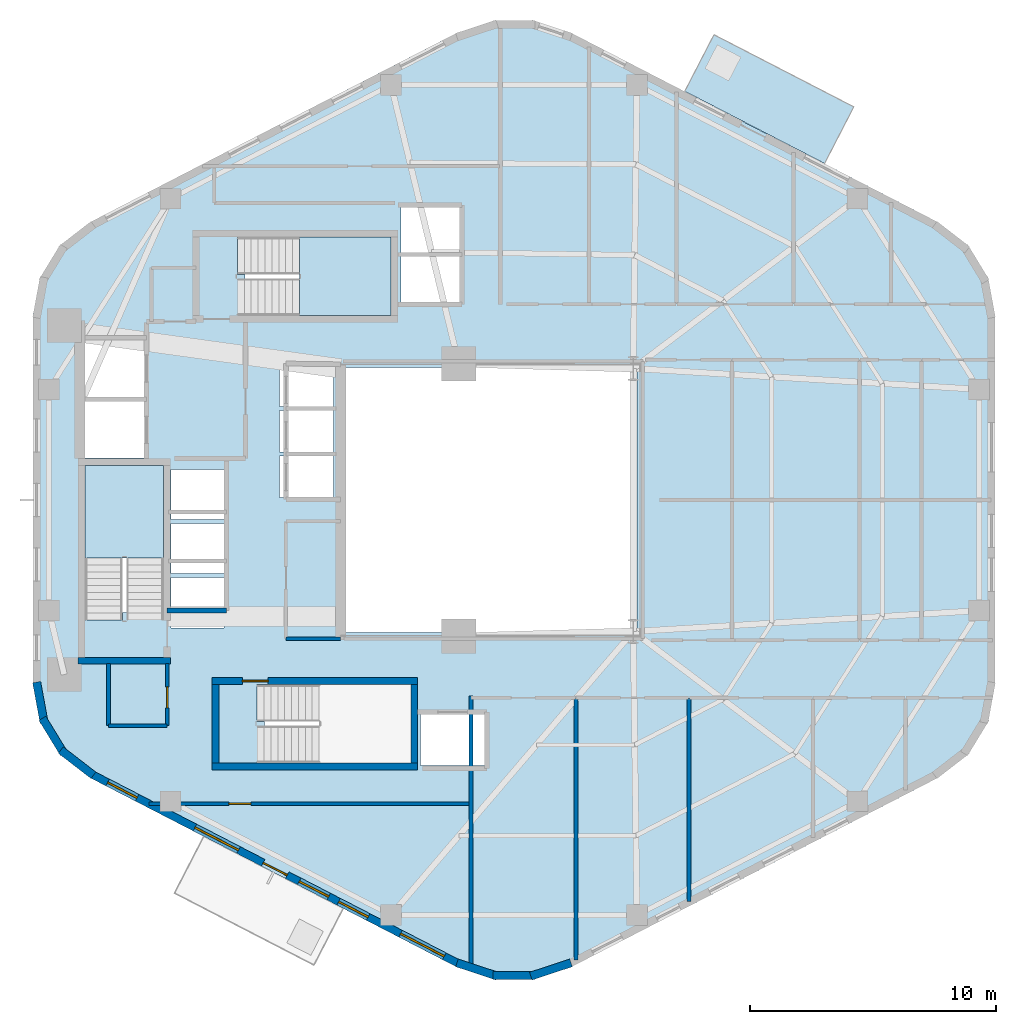
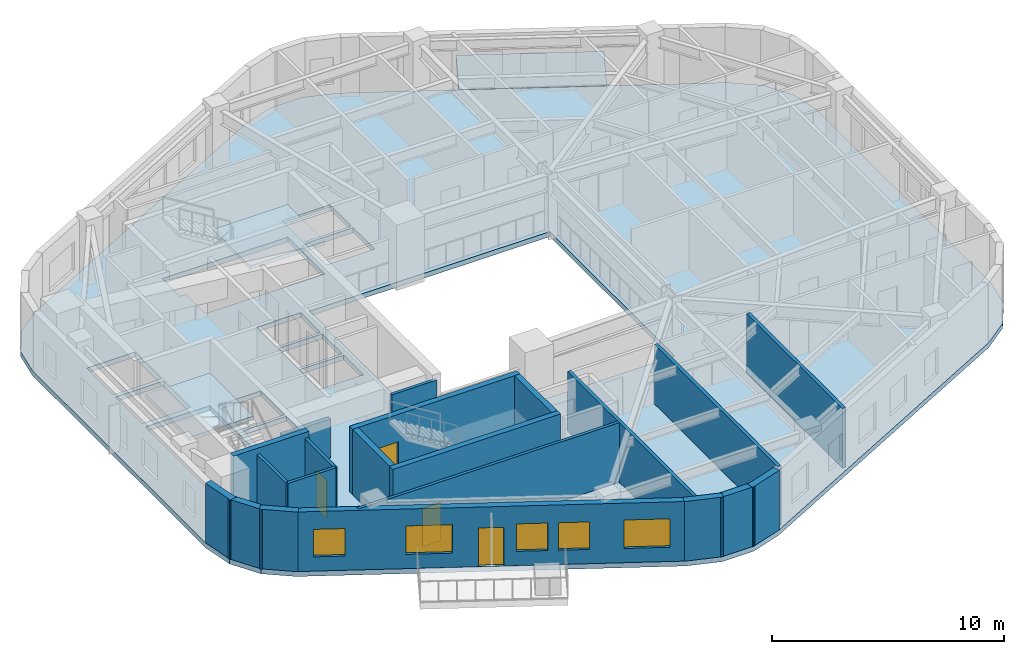
# One storey, part 2 of 8: 21 walls, 5 windows, 4 doors, 4 slabs, 9 openings, 2 elements without a shape of their own.
"""IFC4 building model written with IfcOpenShell, lengths in metres."""

import ifcopenshell
import ifcopenshell.guid

model = None  # the IFC model being written
_history = None  # IfcOwnerHistory: only IFC2X3 demands one
_inside = {}  # id of a spatial element -> (the spatial element, [elements in it])
_under = {}  # id of a project, library or spatial element -> (it, [spatial elements below it])
_declared = {}  # id of a project -> (the project, [libraries it declares])
_typed = {}  # id of a type object -> (the type object, [elements of that type])
_made_of = {}  # id of a material, layer set ... -> (it, [elements and type objects made of it])


def new_model(schema):
    """Start an empty IFC model of exactly this schema.

    Asked for "IFC4X3", IfcOpenShell would pick the latest addendum, in which some entities
    have other attributes; the version numbers below select the first issue.
    IFC2X3 requires an IfcOwnerHistory on every rooted entity: one is made here for all.
    """
    global model, _history
    if schema == "IFC4X3":
        model = ifcopenshell.file(schema_version=(4, 3, 0, 0))
    else:
        model = ifcopenshell.file(schema=schema)
    _inside.clear()
    _under.clear()
    _declared.clear()
    _typed.clear()
    _made_of.clear()
    _history = None
    if model.schema == "IFC2X3":
        org = make("IfcOrganization", Name="unknown")
        user = make(
            "IfcPersonAndOrganization",
            ThePerson=make("IfcPerson", FamilyName="unknown"),
            TheOrganization=org,
        )
        app = make(
            "IfcApplication",
            ApplicationDeveloper=org,
            Version="unknown",
            ApplicationFullName="unknown",
            ApplicationIdentifier="unknown",
        )
        _history = make(
            "IfcOwnerHistory",
            OwningUser=user,
            OwningApplication=app,
            ChangeAction="ADDED",
            CreationDate=0,
        )
    return model


def make(cls, **values):
    """One entity of the class cls with the attributes given. An attribute that is None is left unset."""
    return model.create_entity(
        cls, **{name: value for name, value in values.items() if value is not None}
    )


def rooted(cls, **values):
    """An entity with a GlobalId (a new one), such as an element, a storey or a relation."""
    return make(cls, GlobalId=ifcopenshell.guid.new(), OwnerHistory=_history, **values)


def si_unit(unit_type, name, prefix=None):
    """IfcSIUnit, for example si_unit("LENGTHUNIT", "METRE", prefix="MILLI")."""
    return make("IfcSIUnit", UnitType=unit_type, Prefix=prefix, Name=name)


def assignment(units):
    """IfcUnitAssignment: the units of a project."""
    return None if units is None else make("IfcUnitAssignment", Units=units)


def point(xyz):
    """IfcCartesianPoint."""
    return None if xyz is None else make("IfcCartesianPoint", Coordinates=xyz)


def direction(xyz):
    """IfcDirection."""
    return None if xyz is None else make("IfcDirection", DirectionRatios=xyz)


def frame(location, z_axis=None, x_axis=None):
    """IfcAxis2Placement3D, a coordinate frame: its origin and axes. An axis left out is left unset."""
    return make(
        "IfcAxis2Placement3D",
        Location=point(location),
        Axis=direction(z_axis),
        RefDirection=direction(x_axis),
    )


def frame_2d(location, x_axis=None):
    """IfcAxis2Placement2D, a coordinate frame in the plane: its origin and x axis."""
    return make(
        "IfcAxis2Placement2D", Location=point(location), RefDirection=direction(x_axis)
    )


def origin():
    """The frame at (0, 0, 0) with its axes left unset."""
    return frame((0.0, 0.0, 0.0))


def place(relative_to, where):
    """IfcLocalPlacement: puts the frame where relative to a parent placement (None: the world)."""
    return make(
        "IfcLocalPlacement", PlacementRelTo=relative_to, RelativePlacement=where
    )


def context(
    kind, dimensions, precision=None, world=None, true_north=None, identifier=None
):
    """IfcGeometricRepresentationContext, for example the 3D "Model" context."""
    return make(
        "IfcGeometricRepresentationContext",
        ContextIdentifier=identifier,
        ContextType=kind,
        CoordinateSpaceDimension=dimensions,
        Precision=precision,
        WorldCoordinateSystem=world,
        TrueNorth=true_north,
    )


def subcontext(parent, identifier, kind, view, scale=None):
    """IfcGeometricRepresentationSubContext, for example "Body" below "Model"."""
    return make(
        "IfcGeometricRepresentationSubContext",
        ContextIdentifier=identifier,
        ContextType=kind,
        ParentContext=parent,
        TargetScale=scale,
        TargetView=view,
    )


def project(units=None, contexts=None):
    """IfcProject with its units and contexts."""
    return rooted(
        "IfcProject",
        Name="project",
        RepresentationContexts=contexts,
        UnitsInContext=assignment(units),
    )


def spatial(cls, under=None, at=None, **own):
    """A site, building, storey or space (cls), placed at a placement, below another one or the project."""
    s = rooted(cls, ObjectPlacement=at, **own)
    if under is not None:
        _under.setdefault(under.id(), (under, []))[1].append(s)
    return s


def polyline(points):
    """IfcPolyline through the points."""
    return make("IfcPolyline", Points=[point(p) for p in points])


def profile(cls, at=None, kind="AREA", **sizes):
    """A parametric profile (cls). Its sizes go by their IFC names, for example OverallWidth=200.0."""
    return make(cls, ProfileType=kind, Position=at, **sizes)


def rectangle(**sizes):
    """IfcRectangleProfileDef."""
    return profile("IfcRectangleProfileDef", **sizes)


def outline(outer, holes=None, kind="AREA"):
    """IfcArbitraryClosedProfileDef: a profile drawn as a closed curve; with holes, ...WithVoids."""
    if holes is None:
        return make("IfcArbitraryClosedProfileDef", ProfileType=kind, OuterCurve=outer)
    return make(
        "IfcArbitraryProfileDefWithVoids",
        ProfileType=kind,
        OuterCurve=outer,
        InnerCurves=holes,
    )


def extrude(swept, where, along, depth):
    """IfcExtrudedAreaSolid: the profile swept, set in the frame where, extruded along a direction by depth."""
    return make(
        "IfcExtrudedAreaSolid",
        SweptArea=swept,
        Position=where,
        ExtrudedDirection=direction(along),
        Depth=depth,
    )


def shape(context_of_items, identifier, shape_type, items):
    """IfcShapeRepresentation: the items that make up one representation, for example the "Body"."""
    return make(
        "IfcShapeRepresentation",
        ContextOfItems=context_of_items,
        RepresentationIdentifier=identifier,
        RepresentationType=shape_type,
        Items=items,
    )


def material(Name=None, Category=None):
    """IfcMaterial."""
    return make("IfcMaterial", Name=Name, Category=Category)


def layer(
    of_material, thickness, ventilated=None, Name=None, Category=None, Priority=None
):
    """IfcMaterialLayer: one layer of a wall or slab, of a material (None: an air gap)."""
    return make(
        "IfcMaterialLayer",
        Material=of_material,
        LayerThickness=thickness,
        IsVentilated=ventilated,
        Name=Name,
        Category=Category,
        Priority=Priority,
    )


def layer_set(layers, Name=None):
    """IfcMaterialLayerSet."""
    return make("IfcMaterialLayerSet", MaterialLayers=layers, LayerSetName=Name)


def made_of(thing, what):
    """Note that an element or type object is made of a material, layer set ...; save() writes the relation."""
    if what is not None:
        _made_of.setdefault(what.id(), (what, []))[1].append(thing)
    return thing


def type_object(cls, material=None, **own):
    """A type object (cls), such as IfcWallType, which elements share."""
    return made_of(rooted(cls, **own), material)


def element(
    cls,
    number,
    at=None,
    inside=None,
    cuts=None,
    type_object=None,
    material=None,
    context=None,
    identifier="Body",
    shape_type=None,
    held_by="IfcProductDefinitionShape",
    body=None,
    shapes=None,
    **own,
):
    """One element of the class cls, such as IfcWall. Its Tag is "e" and its number.

    at: its placement. inside: the storey or other place that contains it. cuts: it is an
    opening in that element (IfcRelVoidsElement). A single representation is given by context,
    identifier, shape_type and body (its items); several are given by shapes. held_by: the class
    of the entity that holds the representations. save() writes the other relations.
    """
    e = rooted(cls, Tag="e%d" % number, ObjectPlacement=at, **own)
    if body is not None:
        shapes = [shape(context, identifier, shape_type, body)]
    if shapes is not None:
        e.Representation = make(held_by, Representations=shapes)
    if inside is not None:
        _inside.setdefault(inside.id(), (inside, []))[1].append(e)
    if cuts is not None:
        rooted(
            "IfcRelVoidsElement", RelatingBuildingElement=cuts, RelatedOpeningElement=e
        )
    if type_object is not None:
        _typed.setdefault(type_object.id(), (type_object, []))[1].append(e)
    return made_of(e, material)


def fill(opening, filler):
    """IfcRelFillsElement: the door or window that sits in an opening."""
    return rooted(
        "IfcRelFillsElement",
        RelatingOpeningElement=opening,
        RelatedBuildingElement=filler,
    )


def aggregate(whole, parts):
    """IfcRelAggregates: a whole, such as a stair, and the parts it consists of."""
    return rooted("IfcRelAggregates", RelatingObject=whole, RelatedObjects=parts)


def save(model, path):
    """Write the relations noted so far, then the file.

    IfcRelAggregates (storeys below a building ...), IfcRelContainedInSpatialStructure (elements
    in a storey), IfcRelDefinesByType, IfcRelAssociatesMaterial and IfcRelDeclares: one each for
    every whole, place, type object, material and project.
    """
    for whole, parts in _under.values():
        aggregate(whole, parts)
    for where, things in _inside.values():
        rooted(
            "IfcRelContainedInSpatialStructure",
            RelatedElements=things,
            RelatingStructure=where,
        )
    for kind, things in _typed.values():
        rooted("IfcRelDefinesByType", RelatedObjects=things, RelatingType=kind)
    for what, things in _made_of.values():
        rooted("IfcRelAssociatesMaterial", RelatedObjects=things, RelatingMaterial=what)
    for by, libraries in _declared.values():
        rooted("IfcRelDeclares", RelatingContext=by, RelatedDefinitions=libraries)
    model.write(path)


model = new_model("IFC4")

# Units and contexts
model_context = context("Model", 3, precision=1e-05, world=origin(), true_north=direction((0.0, 1.0)))
body_context = subcontext(model_context, "Body", "Model", "MODEL_VIEW")
ifc_project = project(units=[si_unit("LENGTHUNIT", "METRE"), si_unit("AREAUNIT", "SQUARE_METRE"), si_unit("VOLUMEUNIT", "CUBIC_METRE"), si_unit("PLANEANGLEUNIT", "RADIAN"), si_unit("MASSUNIT", "GRAM", prefix="KILO"), si_unit("THERMODYNAMICTEMPERATUREUNIT", "KELVIN"), si_unit("POWERUNIT", "WATT")], contexts=[model_context])

# Site, building, storey
site_placement = place(None, origin())
site = spatial("IfcSite", under=ifc_project, at=site_placement, CompositionType="ELEMENT")
building_placement = place(site_placement, origin())
building = spatial("IfcBuilding", under=site, at=building_placement, Name="Skarre Station Tower", CompositionType="ELEMENT")
storey_placement = place(building_placement, frame((0.0, 0.0, 187.800048828125)))
storey = spatial("IfcBuildingStorey", under=building, at=storey_placement, Name="L51", CompositionType="ELEMENT", Elevation=187.800048828125)

# Slab
ifc_material_1 = material(Name="Precast concrete C50/60", Category="concrete")
ifc_layer_1 = layer(ifc_material_1, 0.340087890625, Name="Precast concrete C50/60")
ifc_layer_set_1 = layer_set([ifc_layer_1], Name="Precast concrete C50/60")
slab_type_1 = type_object("IfcSlabType", Name="Planted Tree-Balcony Cantilever Slab 340", PredefinedType="FLOOR", material=ifc_layer_set_1)
slab_1_placement = place(storey_placement, frame((0.0, 0.0, -0.340087890625)))
element("IfcSlab", 1, at=slab_1_placement, inside=storey, type_object=slab_type_1, Name="L51 Planted Tree-Balcony Deck TB-L51-F0", PredefinedType="FLOOR", context=body_context, shape_type="SweptSolid", body=[
    extrude(outline(polyline([(47.23388671875, 37.69091796875), (41.547119140625, 40.626953125), (42.735107421875, 42.927978515625), (48.422119140625, 39.992919921875), (47.23388671875, 37.69091796875)])), origin(), (0.0, 0.0, 1.0), 0.340087890625),
])

# Stair, slab
ifc_material_2 = material(Name="Concrete C40/50", Category="concrete")
stair_type_1 = type_object("IfcStairType", Name="Reinforced Concrete Exit Stair ST-1", PredefinedType="HALF_TURN_STAIR", material=ifc_material_2)
stair_1_placement = place(storey_placement, origin())
stair_1 = element("IfcStair", 2, at=stair_1_placement, inside=storey, type_object=stair_type_1, Name="L51 Core Exit Stair ST-1", PredefinedType="HALF_TURN_STAIR")
ifc_layer_2 = layer(ifc_material_2, 0.219970703125, Name="Concrete C40/50")
ifc_layer_set_2 = layer_set([ifc_layer_2], Name="Concrete C40/50")
slab_type_2 = type_object("IfcSlabType", Name="Reinforced Concrete Stair & Ramp Landing 220", PredefinedType="LANDING", material=ifc_layer_set_2)
slab_2_placement = place(storey_placement, frame((0.0, 0.0, 1.52490234375)))
slab_2 = element("IfcSlab", 3, at=slab_2_placement, type_object=slab_type_2, Name="ST-1 landing 1", PredefinedType="LANDING", context=body_context, shape_type="SweptSolid", body=[
    extrude(outline(polyline([(20.35009765625, 21.639892578125), (20.35009765625, 25.39990234375), (17.14990234375, 25.39990234375), (17.14990234375, 21.639892578125), (20.35009765625, 21.639892578125)])), origin(), (0.0, 0.0, 1.0), 0.199951171875),
])
aggregate(stair_1, [slab_2])

stair_type_2 = type_object("IfcStairType", Name="Reinforced Concrete Exit Stair ST-3", PredefinedType="HALF_TURN_STAIR", material=ifc_material_2)
stair_2_placement = place(storey_placement, origin())
stair_2 = element("IfcStair", 4, at=stair_2_placement, inside=storey, type_object=stair_type_2, Name="L51 Core Exit Stair ST-3", PredefinedType="HALF_TURN_STAIR")
slab_3_placement = place(storey_placement, frame((0.0, 0.0, 1.52490234375)))
slab_3 = element("IfcSlab", 5, at=slab_3_placement, type_object=slab_type_2, Name="ST-3 landing 1", PredefinedType="LANDING", context=body_context, shape_type="SweptSolid", body=[
    extrude(outline(polyline([(25.8701171875, 31.5), (29.60009765625, 31.5), (29.60009765625, 34.699951171875), (25.8701171875, 34.699951171875), (25.8701171875, 31.5)])), origin(), (0.0, 0.0, 1.0), 0.199951171875),
])
aggregate(stair_2, [slab_3])

# Slab
ifc_material_3 = material(Name="Concrete C50/60", Category="concrete")
ifc_layer_3 = layer(ifc_material_3, 0.260009765625, Name="Concrete C50/60")
ifc_layer_set_3 = layer_set([ifc_layer_3], Name="Concrete C50/60")
slab_type_3 = type_object("IfcSlabType", Name="Tower Typical Composite Floor Slab 260", PredefinedType="FLOOR", material=ifc_layer_set_3)
slab_4_placement = place(storey_placement, frame((0.0, 0.0, -0.260009765625)))
element("IfcSlab", 6, at=slab_4_placement, inside=storey, type_object=slab_type_3, Name="L51 Zone 3 Structural Floor Slab", PredefinedType="FLOOR", context=body_context, shape_type="SweptSolid", body=[
    extrude(outline(polyline([(54.172119140625, 31.501953125), (53.89208984375, 33.02294921875), (53.0869140625, 34.344970703125), (51.863037109375, 35.291015625), (36.908935546875, 43.009033203125), (35.39599609375, 43.506103515625), (33.803955078125, 43.506103515625), (32.291015625, 43.009033203125), (17.3369140625, 35.291015625), (16.113037109375, 34.344970703125), (15.30810546875, 33.02294921875), (15.028076171875, 31.501953125), (15.028076171875, 16.498046875), (15.30810546875, 14.97705078125), (16.113037109375, 13.655029296875), (17.3369140625, 12.708984375), (32.291015625, 4.990966796875), (33.803955078125, 4.493896484375), (35.39599609375, 4.493896484375), (36.908935546875, 4.990966796875), (51.863037109375, 12.708984375), (53.0869140625, 13.655029296875), (53.89208984375, 14.97705078125), (54.172119140625, 16.498046875), (54.172119140625, 31.501953125)]), holes=[polyline([(18.669921875, 19.419921875), (18.669921875, 19.123046875), (17.14990234375, 19.123046875), (17.14990234375, 25.39990234375), (20.35009765625, 25.39990234375), (20.35009765625, 19.419921875), (18.669921875, 19.419921875)]), polyline([(24.449951171875, 14.97998046875), (24.153076171875, 14.97998046875), (24.153076171875, 16.5), (30.39990234375, 16.5), (30.39990234375, 13.300048828125), (24.449951171875, 13.300048828125), (24.449951171875, 14.97998046875)]), polyline([(23.64990234375, 33.179931640625), (23.35302734375, 33.179931640625), (23.35302734375, 34.699951171875), (29.60009765625, 34.699951171875), (29.60009765625, 31.5), (23.64990234375, 31.5), (23.64990234375, 33.179931640625)]), polyline([(17.14990234375, 28.0), (19.550048828125, 28.0), (19.550048828125, 25.699951171875), (17.14990234375, 25.699951171875), (17.14990234375, 28.0)]), polyline([(17.14990234375, 30.5), (19.550048828125, 30.5), (19.550048828125, 28.199951171875), (17.14990234375, 28.199951171875), (17.14990234375, 30.5)]), polyline([(30.800048828125, 15.300048828125), (33.39990234375, 15.300048828125), (33.39990234375, 13.199951171875), (30.800048828125, 13.199951171875), (30.800048828125, 15.300048828125)]), polyline([(25.050048828125, 25.800048828125), (27.25, 25.800048828125), (27.25, 24.10009765625), (25.050048828125, 24.10009765625), (25.050048828125, 25.800048828125)]), polyline([(25.050048828125, 27.64990234375), (27.25, 27.64990234375), (27.25, 25.949951171875), (25.050048828125, 25.949951171875), (25.050048828125, 27.64990234375)]), polyline([(25.050048828125, 29.5), (27.25, 29.5), (27.25, 27.800048828125), (25.050048828125, 27.800048828125), (25.050048828125, 29.5)]), polyline([(20.64990234375, 20.85009765625), (22.800048828125, 20.85009765625), (22.800048828125, 18.800048828125), (20.64990234375, 18.800048828125), (20.64990234375, 20.85009765625)]), polyline([(20.64990234375, 23.050048828125), (22.800048828125, 23.050048828125), (22.800048828125, 21.0), (20.64990234375, 21.0), (20.64990234375, 23.050048828125)]), polyline([(20.64990234375, 25.25), (22.800048828125, 25.25), (22.800048828125, 23.199951171875), (20.64990234375, 23.199951171875), (20.64990234375, 25.25)]), polyline([(30.0, 33.89990234375), (32.39990234375, 33.89990234375), (32.39990234375, 32.050048828125), (30.0, 32.050048828125), (30.0, 33.89990234375)]), polyline([(30.0, 35.89990234375), (32.39990234375, 35.89990234375), (32.39990234375, 34.050048828125), (30.0, 34.050048828125), (30.0, 35.89990234375)]), polyline([(27.60009765625, 29.39990234375), (39.60009765625, 29.39990234375), (39.60009765625, 18.60009765625), (27.60009765625, 18.60009765625), (27.60009765625, 29.39990234375)])]), origin(), (0.0, 0.0, 1.0), 0.260009765625),
])

# Walls
ifc_material_4 = material(Name="Acoustic Steel-Stud Gypsum Partition", Category="steel")
ifc_layer_4 = layer(ifc_material_4, 0.14990234375, Name="Acoustic Steel-Stud Gypsum Partition")
ifc_layer_set_4 = layer_set([ifc_layer_4], Name="Acoustic Steel-Stud Gypsum Partition")
wall_type_1 = type_object("IfcWallType", Name="Fire-Rated Corridor Acoustic Partition 150", PredefinedType="PARTITIONING", material=ifc_layer_set_4)
wall_1_placement = place(storey_placement, frame((25.320068359375, 18.360107421875, 0.0), z_axis=(0.0, 0.0, 1.0), x_axis=(1.0, 0.0, 0.0)))
element("IfcWall", 7, at=wall_1_placement, inside=storey, type_object=wall_type_1, Name="L51 Interior Partition WL-PT-L51-RC1-S", PredefinedType="PARTITIONING", context=body_context, shape_type="SweptSolid", body=[
    extrude(rectangle(XDim=2.22998046875, YDim=0.14990234375, at=frame_2d((1.114990234375, 0.0))), origin(), (0.0, 0.0, 1.0), 3.139892578125),
])
wall_2_placement = place(storey_placement, frame((18.10009765625, 17.340087890625, 0.0), z_axis=(0.0, 0.0, 1.0), x_axis=(0.0, -1.0, 0.0)))
element("IfcWall", 8, at=wall_2_placement, inside=storey, type_object=wall_type_1, Name="L51 Interior Partition WL-PT-L51-CSVC-W", PredefinedType="PARTITIONING", context=body_context, shape_type="SweptSolid", body=[
    extrude(rectangle(XDim=2.52001953125, YDim=0.14990234375, at=frame_2d((1.260009765625, 0.0))), origin(), (0.0, 0.0, 1.0), 3.139892578125),
])
wall_3_placement = place(storey_placement, frame((18.10009765625, 14.820068359375, 0.0), z_axis=(0.0, 0.0, 1.0), x_axis=(1.0, 0.0, 0.0)))
element("IfcWall", 9, at=wall_3_placement, inside=storey, type_object=wall_type_1, Name="L51 Interior Partition WL-PT-L51-CSVC-S", PredefinedType="PARTITIONING", context=body_context, shape_type="SweptSolid", body=[
    extrude(rectangle(XDim=2.389892578125, YDim=0.14990234375, at=frame_2d((1.19482421875, 0.0))), origin(), (0.0, 0.0, 1.0), 3.139892578125),
])

# Wall, opening, door
wall_4_placement = place(storey_placement, frame((20.489990234375, 14.820068359375, 0.0), z_axis=(0.0, 0.0, 1.0), x_axis=(0.0, 1.0, 0.0)))
wall_4 = element("IfcWall", 10, at=wall_4_placement, inside=storey, type_object=wall_type_1, Name="L51 Interior Partition WL-PT-L51-CSVC-E", PredefinedType="PARTITIONING", context=body_context, shape_type="SweptSolid", body=[
    extrude(rectangle(XDim=2.52001953125, YDim=0.14990234375, at=frame_2d((1.260009765625, 0.0))), origin(), (0.0, 0.0, 1.0), 3.139892578125),
])
opening_1_placement = place(wall_4_placement, frame((0.719970703125, 0.0, 0.0)))
opening_1 = element("IfcOpeningElement", 11, at=opening_1_placement, cuts=wall_4, Name="Opening DR-SVC86", PredefinedType="OPENING", context=body_context, shape_type="SweptSolid", body=[
    extrude(rectangle(XDim=0.860107421875, YDim=2.0, at=frame_2d((0.43017578125, 1.0))), frame((0.0, 0.0849609375, 0.0), z_axis=(0.0, -1.0, 0.0), x_axis=(1.0, 0.0, 0.0)), (0.0, 0.0, 1.0), 0.169921875),
])
ifc_material_5 = material(Name="Powder-Coated Hollow-Metal Acoustic Fire Leaf", Category="steel")
door_type_1 = type_object("IfcDoorType", Name="Compact Riser Fire Door FD60 860x2100", OperationType="SINGLE_SWING_LEFT", PredefinedType="DOOR", material=ifc_material_5)
door_1_placement = place(opening_1_placement, origin())
door_1 = element("IfcDoor", 12, at=door_1_placement, inside=storey, type_object=door_type_1, Name="L51 Core Staff Toilet Door", OperationType="SINGLE_SWING_LEFT", OverallHeight=2.0, OverallWidth=0.860107421875, PredefinedType="DOOR", context=body_context, shape_type="SweptSolid", body=[
    extrude(rectangle(XDim=0.860107421875, YDim=2.0, at=frame_2d((0.43017578125, 1.0))), frame((0.0, 0.02490234375, 0.0), z_axis=(0.0, -1.0, 0.0), x_axis=(1.0, 0.0, 0.0)), (0.0, 0.0, 1.0), 0.050048828125),
])
fill(opening_1, door_1)

wall_5_placement = place(storey_placement, frame((19.757080078125, 11.639892578125, 0.0), z_axis=(0.0, 0.0, 1.0), x_axis=(1.0, 0.0, 0.0)))
wall_5 = element("IfcWall", 13, at=wall_5_placement, inside=storey, type_object=wall_type_1, Name="L51 Interior Partition WL-PT-L51-SWP-N", PredefinedType="PARTITIONING", context=body_context, shape_type="SweptSolid", body=[
    extrude(rectangle(XDim=13.093017578125, YDim=0.14990234375, at=frame_2d((6.54638671875, 0.0))), origin(), (0.0, 0.0, 1.0), 3.139892578125),
])
opening_2_placement = place(wall_5_placement, frame((3.242919921875, 0.0, 0.0)))
opening_2 = element("IfcOpeningElement", 14, at=opening_2_placement, cuts=wall_5, Name="Opening DR-SVC90", PredefinedType="OPENING", context=body_context, shape_type="SweptSolid", body=[
    extrude(rectangle(XDim=0.89990234375, YDim=2.0, at=frame_2d((0.449951171875, 1.0))), frame((0.0, 0.0849609375, 0.0), z_axis=(0.0, -1.0, 0.0), x_axis=(1.0, 0.0, 0.0)), (0.0, 0.0, 1.0), 0.169921875),
])
door_type_2 = type_object("IfcDoorType", Name="Service & Riser Fire Door FD60 900x2100", OperationType="SINGLE_SWING_LEFT", PredefinedType="DOOR", material=ifc_material_5)
door_2_placement = place(opening_2_placement, origin())
door_2 = element("IfcDoor", 15, at=door_2_placement, inside=storey, type_object=door_type_2, Name="L51 Floor Public Toilets Door", OperationType="SINGLE_SWING_LEFT", OverallHeight=2.0, OverallWidth=0.89990234375, PredefinedType="DOOR", context=body_context, shape_type="SweptSolid", body=[
    extrude(rectangle(XDim=0.89990234375, YDim=2.0, at=frame_2d((0.449951171875, 1.0))), frame((0.0, 0.02490234375, 0.0), z_axis=(0.0, -1.0, 0.0), x_axis=(1.0, 0.0, 0.0)), (0.0, 0.0, 1.0), 0.050048828125),
])
fill(opening_2, door_2)

# Walls
ifc_material_6 = material(Name="Precast concrete C45/55", Category="concrete")
ifc_layer_5 = layer(ifc_material_6, 0.330078125, Name="Precast concrete C45/55")
ifc_layer_set_5 = layer_set([ifc_layer_5], Name="Precast concrete C45/55")
wall_type_2 = type_object("IfcWallType", Name="Nordic Rounded Corner Precast Wall 330", PredefinedType="STANDARD", material=ifc_layer_set_5)
wall_6_placement = place(storey_placement, frame((17.489013671875, 12.800048828125, 0.0), z_axis=(0.0, 0.0, 1.0), x_axis=(-0.791409877269, 0.611285862884, 0.0)))
element("IfcWall", 16, at=wall_6_placement, inside=storey, type_object=wall_type_2, Name="L51 Rounded Corner Precast Wall F3-1", PredefinedType="STANDARD", context=body_context, shape_type="SweptSolid", body=[
    extrude(rectangle(XDim=1.676513671875, YDim=0.330078125, at=frame_2d((0.83837890625, 0.0))), origin(), (0.0, 0.0, 1.0), 3.139892578125),
])
wall_7_placement = place(storey_placement, frame((16.2880859375, 13.68505859375, 0.0), z_axis=(0.0, 0.0, 1.0), x_axis=(-0.520325409202, 0.853968072318, 0.0)))
element("IfcWall", 17, at=wall_7_placement, inside=storey, type_object=wall_type_2, Name="L51 Rounded Corner Precast Wall F3-2", PredefinedType="STANDARD", context=body_context, shape_type="SweptSolid", body=[
    extrude(rectangle(XDim=1.677978515625, YDim=0.330078125, at=frame_2d((0.8388671875, 0.0))), origin(), (0.0, 0.0, 1.0), 3.139892578125),
])
wall_8_placement = place(storey_placement, frame((15.48193359375, 14.943115234375, 0.0), z_axis=(0.0, 0.0, 1.0), x_axis=(-0.180717642671, 0.983535019014, 0.0)))
element("IfcWall", 18, at=wall_8_placement, inside=storey, type_object=wall_type_2, Name="L51 Rounded Corner Precast Wall F3-3", PredefinedType="STANDARD", context=body_context, shape_type="SweptSolid", body=[
    extrude(rectangle(XDim=1.676513671875, YDim=0.330078125, at=frame_2d((0.83837890625, 0.0))), origin(), (0.0, 0.0, 1.0), 3.139892578125),
])
wall_9_placement = place(storey_placement, frame((36.9189453125, 5.16796875, 0.0), z_axis=(0.0, 0.0, 1.0), x_axis=(-0.949937416267, -0.312440242569, 0.0)))
element("IfcWall", 19, at=wall_9_placement, inside=storey, type_object=wall_type_2, Name="L51 Rounded Corner Precast Wall F4-1", PredefinedType="STANDARD", context=body_context, shape_type="SweptSolid", body=[
    extrude(rectangle(XDim=1.72216796875, YDim=0.330078125, at=frame_2d((0.861083984375, 0.0))), origin(), (0.0, 0.0, 1.0), 3.139892578125),
])
wall_10_placement = place(storey_placement, frame((35.4609375, 4.658935546875, 0.0), z_axis=(0.0, 0.0, 1.0), x_axis=(-1.0, 0.0, 0.0)))
element("IfcWall", 20, at=wall_10_placement, inside=storey, type_object=wall_type_2, Name="L51 Rounded Corner Precast Wall F4-2", PredefinedType="STANDARD", context=body_context, shape_type="SweptSolid", body=[
    extrude(rectangle(XDim=1.721923828125, YDim=0.330078125, at=frame_2d((0.86083984375, 0.0))), origin(), (0.0, 0.0, 1.0), 3.139892578125),
])
wall_11_placement = place(storey_placement, frame((33.9169921875, 4.6298828125, 0.0), z_axis=(0.0, 0.0, 1.0), x_axis=(-0.949937416267, 0.312440242569, 0.0)))
element("IfcWall", 21, at=wall_11_placement, inside=storey, type_object=wall_type_2, Name="L51 Rounded Corner Precast Wall F4-3", PredefinedType="STANDARD", context=body_context, shape_type="SweptSolid", body=[
    extrude(rectangle(XDim=1.72216796875, YDim=0.330078125, at=frame_2d((0.861083984375, 0.0))), origin(), (0.0, 0.0, 1.0), 3.139892578125),
])

# Wall, openings, windows, door
ifc_layer_6 = layer(ifc_material_6, 0.31005859375, Name="Precast concrete C45/55")
ifc_layer_set_6 = layer_set([ifc_layer_6], Name="Precast concrete C45/55")
wall_type_3 = type_object("IfcWallType", Name="Nordic Upper-Zone Precast Facet Wall 310", PredefinedType="STANDARD", material=ifc_layer_set_6)
wall_12_placement = place(storey_placement, frame((32.362060546875, 5.12890625, 0.0), z_axis=(0.0, 0.0, 1.0), x_axis=(-0.888626188278, 0.458632202867, 0.0)))
wall_12 = element("IfcWall", 22, at=wall_12_placement, inside=storey, type_object=wall_type_3, Name="L51 Facet 3 Nordic Precast Masonry Wall", PredefinedType="STANDARD", context=body_context, shape_type="SweptSolid", body=[
    extrude(rectangle(XDim=16.828369140625, YDim=0.31005859375, at=frame_2d((8.4140625, 0.0))), origin(), (0.0, 0.0, 1.0), 3.139892578125),
])
opening_3_placement = place(wall_12_placement, frame((7.864013671875, 0.0, 0.0)))
opening_3 = element("IfcOpeningElement", 23, at=opening_3_placement, cuts=wall_12, Name="Opening DR-BAL110", PredefinedType="OPENING", context=body_context, shape_type="SweptSolid", body=[
    extrude(rectangle(XDim=1.10009765625, YDim=2.0400390625, at=frame_2d((0.550048828125, 1.02001953125))), frame((0.0, 0.1650390625, 0.0), z_axis=(0.0, -1.0, 0.0), x_axis=(1.0, 0.0, 0.0)), (0.0, 0.0, 1.0), 0.330078125),
])
opening_4_placement = place(wall_12_placement, frame((0.675048828125, 0.0, 0.75)))
opening_4 = element("IfcOpeningElement", 24, at=opening_4_placement, cuts=wall_12, Name="Opening WN-Z3A", PredefinedType="OPENING", context=body_context, shape_type="SweptSolid", body=[
    extrude(rectangle(XDim=2.0, YDim=1.5, at=frame_2d((1.0, 0.75))), frame((0.0, 0.1650390625, 0.0), z_axis=(0.0, -1.0, 0.0), x_axis=(1.0, 0.0, 0.0)), (0.0, 0.0, 1.0), 0.330078125),
])
opening_5_placement = place(wall_12_placement, frame((4.158935546875, 0.0, 0.75)))
opening_5 = element("IfcOpeningElement", 25, at=opening_5_placement, cuts=wall_12, Name="Opening WN-Z3B", PredefinedType="OPENING", context=body_context, shape_type="SweptSolid", body=[
    extrude(rectangle(XDim=1.35009765625, YDim=1.449951171875, at=frame_2d((0.675048828125, 0.72509765625))), frame((0.0, 0.1650390625, 0.0), z_axis=(0.0, -1.0, 0.0), x_axis=(1.0, 0.0, 0.0)), (0.0, 0.0, 1.0), 0.330078125),
])
opening_6_placement = place(wall_12_placement, frame((5.966064453125, 0.0, 0.75)))
opening_6 = element("IfcOpeningElement", 26, at=opening_6_placement, cuts=wall_12, Name="Opening WN-Z3B", PredefinedType="OPENING", context=body_context, shape_type="SweptSolid", body=[
    extrude(rectangle(XDim=1.35009765625, YDim=1.449951171875, at=frame_2d((0.675048828125, 0.72509765625))), frame((0.0, 0.1650390625, 0.0), z_axis=(0.0, -1.0, 0.0), x_axis=(1.0, 0.0, 0.0)), (0.0, 0.0, 1.0), 0.330078125),
])
opening_7_placement = place(wall_12_placement, frame((10.091064453125, 0.0, 0.75)))
opening_7 = element("IfcOpeningElement", 27, at=opening_7_placement, cuts=wall_12, Name="Opening WN-Z3A", PredefinedType="OPENING", context=body_context, shape_type="SweptSolid", body=[
    extrude(rectangle(XDim=2.0, YDim=1.5, at=frame_2d((1.0, 0.75))), frame((0.0, 0.1650390625, 0.0), z_axis=(0.0, -1.0, 0.0), x_axis=(1.0, 0.0, 0.0)), (0.0, 0.0, 1.0), 0.330078125),
])
opening_8_placement = place(wall_12_placement, frame((14.735107421875, 0.0, 0.75)))
opening_8 = element("IfcOpeningElement", 28, at=opening_8_placement, cuts=wall_12, Name="Opening WN-Z3B", PredefinedType="OPENING", context=body_context, shape_type="SweptSolid", body=[
    extrude(rectangle(XDim=1.35009765625, YDim=1.449951171875, at=frame_2d((0.675048828125, 0.72509765625))), frame((0.0, 0.1650390625, 0.0), z_axis=(0.0, -1.0, 0.0), x_axis=(1.0, 0.0, 0.0)), (0.0, 0.0, 1.0), 0.330078125),
])
ifc_material_7 = material(Name="Low-Iron Triple Glazing with Bronze Anodized Frame", Category="glass")
window_type_1 = type_object("IfcWindowType", Name="Nordic Hospitality Narrow Window 1350x1450", PartitioningType="SINGLE_PANEL", PredefinedType="WINDOW", material=ifc_material_7)
window_1_placement = place(opening_5_placement, origin())
window_1 = element("IfcWindow", 29, at=window_1_placement, inside=storey, type_object=window_type_1, Name="L51 Facade Window WL-FAC-L51-F3-2", OverallHeight=1.449951171875, OverallWidth=1.35009765625, PartitioningType="SINGLE_PANEL", PredefinedType="WINDOW", context=body_context, shape_type="SweptSolid", body=[
    extrude(rectangle(XDim=1.35009765625, YDim=1.449951171875, at=frame_2d((0.675048828125, 0.72509765625))), frame((0.0, 0.030029296875, 0.0), z_axis=(0.0, -1.0, 0.0), x_axis=(1.0, 0.0, 0.0)), (0.0, 0.0, 1.0), 0.06005859375),
])
fill(opening_5, window_1)
window_2_placement = place(opening_6_placement, origin())
window_2 = element("IfcWindow", 30, at=window_2_placement, inside=storey, type_object=window_type_1, Name="L51 Facade Window WL-FAC-L51-F3-3", OverallHeight=1.449951171875, OverallWidth=1.35009765625, PartitioningType="SINGLE_PANEL", PredefinedType="WINDOW", context=body_context, shape_type="SweptSolid", body=[
    extrude(rectangle(XDim=1.35009765625, YDim=1.449951171875, at=frame_2d((0.675048828125, 0.72509765625))), frame((0.0, 0.030029296875, 0.0), z_axis=(0.0, -1.0, 0.0), x_axis=(1.0, 0.0, 0.0)), (0.0, 0.0, 1.0), 0.06005859375),
])
fill(opening_6, window_2)
window_3_placement = place(opening_8_placement, origin())
window_3 = element("IfcWindow", 31, at=window_3_placement, inside=storey, type_object=window_type_1, Name="L51 Facade Window WL-FAC-L51-F3-5", OverallHeight=1.449951171875, OverallWidth=1.35009765625, PartitioningType="SINGLE_PANEL", PredefinedType="WINDOW", context=body_context, shape_type="SweptSolid", body=[
    extrude(rectangle(XDim=1.35009765625, YDim=1.449951171875, at=frame_2d((0.675048828125, 0.72509765625))), frame((0.0, 0.030029296875, 0.0), z_axis=(0.0, -1.0, 0.0), x_axis=(1.0, 0.0, 0.0)), (0.0, 0.0, 1.0), 0.06005859375),
])
fill(opening_8, window_3)
window_type_2 = type_object("IfcWindowType", Name="Nordic Hospitality Window 2000x1500", PartitioningType="SINGLE_PANEL", PredefinedType="WINDOW", material=ifc_material_7)
window_4_placement = place(opening_4_placement, origin())
window_4 = element("IfcWindow", 32, at=window_4_placement, inside=storey, type_object=window_type_2, Name="L51 Facade Window WL-FAC-L51-F3-1", OverallHeight=1.5, OverallWidth=2.0, PartitioningType="SINGLE_PANEL", PredefinedType="WINDOW", context=body_context, shape_type="SweptSolid", body=[
    extrude(rectangle(XDim=2.0, YDim=1.5, at=frame_2d((1.0, 0.75))), frame((0.0, 0.030029296875, 0.0), z_axis=(0.0, -1.0, 0.0), x_axis=(1.0, 0.0, 0.0)), (0.0, 0.0, 1.0), 0.06005859375),
])
fill(opening_4, window_4)
window_5_placement = place(opening_7_placement, origin())
window_5 = element("IfcWindow", 33, at=window_5_placement, inside=storey, type_object=window_type_2, Name="L51 Facade Window WL-FAC-L51-F3-4", OverallHeight=1.5, OverallWidth=2.0, PartitioningType="SINGLE_PANEL", PredefinedType="WINDOW", context=body_context, shape_type="SweptSolid", body=[
    extrude(rectangle(XDim=2.0, YDim=1.5, at=frame_2d((1.0, 0.75))), frame((0.0, 0.030029296875, 0.0), z_axis=(0.0, -1.0, 0.0), x_axis=(1.0, 0.0, 0.0)), (0.0, 0.0, 1.0), 0.06005859375),
])
fill(opening_7, window_5)
ifc_material_8 = material(Name="Thermally Broken Aluminium & Triple Glazing", Category="aluminium")
door_type_3 = type_object("IfcDoorType", Name="Terrace & Tree-Balcony Glazed Door 1100x2200", OperationType="SINGLE_SWING_LEFT", PredefinedType="DOOR", material=ifc_material_8)
door_3_placement = place(opening_3_placement, origin())
door_3 = element("IfcDoor", 34, at=door_3_placement, inside=storey, type_object=door_type_3, Name="L51 TB-L51-F3 Tree-Balcony Glazed Door", OperationType="SINGLE_SWING_LEFT", OverallHeight=2.0400390625, OverallWidth=1.10009765625, PredefinedType="DOOR", context=body_context, shape_type="SweptSolid", body=[
    extrude(rectangle(XDim=1.10009765625, YDim=2.0400390625, at=frame_2d((0.550048828125, 1.02001953125))), frame((0.0, 0.02490234375, 0.0), z_axis=(0.0, -1.0, 0.0), x_axis=(1.0, 0.0, 0.0)), (0.0, 0.0, 1.0), 0.050048828125),
])
fill(opening_3, door_3)

# Walls
ifc_layer_7 = layer(ifc_material_3, 0.280029296875, Name="Concrete C50/60")
ifc_layer_set_7 = layer_set([ifc_layer_7], Name="Concrete C50/60")
wall_type_4 = type_object("IfcWallType", Name="RC Core Shear Wall 280", PredefinedType="SHEAR", material=ifc_layer_set_7)
wall_13_placement = place(storey_placement, frame((16.8701171875, 17.4599609375, 0.0), z_axis=(0.0, 0.0, 1.0), x_axis=(1.0, 0.0, 0.0)))
element("IfcWall", 35, at=wall_13_placement, inside=storey, type_object=wall_type_4, Name="L51 Stair ST-1 South Shear Wall", PredefinedType="SHEAR", context=body_context, shape_type="SweptSolid", body=[
    extrude(rectangle(XDim=3.759765625, YDim=0.280029296875, at=frame_2d((1.8798828125, 0.0))), origin(), (0.0, 0.0, 1.0), 3.449951171875),
])
wall_14_placement = place(storey_placement, frame((22.320068359375, 13.159912109375, 0.0), z_axis=(0.0, 0.0, 1.0), x_axis=(1.0, 0.0, 0.0)))
element("IfcWall", 36, at=wall_14_placement, inside=storey, type_object=wall_type_4, Name="L51 Stair ST-2 South Shear Wall", PredefinedType="SHEAR", context=body_context, shape_type="SweptSolid", body=[
    extrude(rectangle(XDim=8.35986328125, YDim=0.280029296875, at=frame_2d((4.179931640625, 0.0))), origin(), (0.0, 0.0, 1.0), 3.449951171875),
])

# Wall, opening, door
wall_15_placement = place(storey_placement, frame((30.679931640625, 16.639892578125, 0.0), z_axis=(0.0, 0.0, 1.0), x_axis=(-1.0, 0.0, 0.0)))
wall_15 = element("IfcWall", 37, at=wall_15_placement, inside=storey, type_object=wall_type_4, Name="L51 Stair ST-2 North Shear Wall", PredefinedType="SHEAR", context=body_context, shape_type="SweptSolid", body=[
    extrude(rectangle(XDim=8.35986328125, YDim=0.280029296875, at=frame_2d((4.179931640625, 0.0))), origin(), (0.0, 0.0, 1.0), 3.449951171875),
])
opening_9_placement = place(wall_15_placement, frame((6.080078125, 0.0, 0.0)))
opening_9 = element("IfcOpeningElement", 38, at=opening_9_placement, cuts=wall_15, Name="Opening DR-FD90", PredefinedType="OPENING", context=body_context, shape_type="SweptSolid", body=[
    extrude(rectangle(XDim=1.050048828125, YDim=2.0, at=frame_2d((0.52490234375, 1.0))), frame((0.0, 0.14990234375, 0.0), z_axis=(0.0, -1.0, 0.0), x_axis=(1.0, 0.0, 0.0)), (0.0, 0.0, 1.0), 0.300048828125),
])
ifc_material_9 = material(Name="Fire-Rated Insulated Steel Frame & Timber Core Leaf", Category="steel")
door_type_4 = type_object("IfcDoorType", Name="Stair & FSAE Lobby Fire Door FD90 1050x2150", OperationType="SINGLE_SWING_RIGHT", PredefinedType="DOOR", material=ifc_material_9)
door_4_placement = place(opening_9_placement, origin())
door_4 = element("IfcDoor", 39, at=door_4_placement, inside=storey, type_object=door_type_4, Name="L51 Stair ST-2 Exit Door", OperationType="SINGLE_SWING_RIGHT", OverallHeight=2.0, OverallWidth=1.050048828125, PredefinedType="DOOR", context=body_context, shape_type="SweptSolid", body=[
    extrude(rectangle(XDim=1.050048828125, YDim=2.0, at=frame_2d((0.52490234375, 1.0))), frame((0.0, 0.02490234375, 0.0), z_axis=(0.0, -1.0, 0.0), x_axis=(1.0, 0.0, 0.0)), (0.0, 0.0, 1.0), 0.050048828125),
])
fill(opening_9, door_4)

# Walls
for number, where, z_axis, x_axis, name in (
    (40, (22.4599609375, 16.5, 0.0), (0.0, 0.0, 1.0), (0.0, -1.0, 0.0), "L51 Stair ST-2 West Shear Wall"),
    (41, (30.5400390625, 13.300048828125, 0.0), (0.0, 0.0, 1.0), (0.0, 1.0, 0.0), "L51 Stair ST-2 East Shear Wall"),
):
    element("IfcWall", number, at=place(storey_placement, frame(where, z_axis=z_axis, x_axis=x_axis)), inside=storey, type_object=wall_type_4, Name=name, PredefinedType="SHEAR", context=body_context, shape_type="SweptSolid", body=[
        extrude(rectangle(XDim=3.199951171875, YDim=0.280029296875, at=frame_2d((1.60009765625, 0.0))), origin(), (0.0, 0.0, 1.0), 3.449951171875),
    ])
ifc_material_10 = material(Name="Gypsum Concrete Shaft Assembly C30/37", Category="concrete")
ifc_layer_8 = layer(ifc_material_10, 0.199951171875, Name="Gypsum Concrete Shaft Assembly C30/37")
ifc_layer_set_8 = layer_set([ifc_layer_8], Name="Gypsum Concrete Shaft Assembly C30/37")
wall_type_5 = type_object("IfcWallType", Name="Shaft & Core Fire Partition 200", PredefinedType="PARTITIONING", material=ifc_layer_set_8)
wall_16_placement = place(storey_placement, frame((20.489990234375, 19.5, 0.0), z_axis=(0.0, 0.0, 1.0), x_axis=(1.0, 0.0, 0.0)))
element("IfcWall", 42, at=wall_16_placement, inside=storey, type_object=wall_type_5, Name="L51 Interior Partition WL-PT-L51-B3-S", PredefinedType="PARTITIONING", context=body_context, shape_type="SweptSolid", body=[
    extrude(rectangle(XDim=2.409912109375, YDim=0.199951171875, at=frame_2d((1.205078125, 0.0))), origin(), (0.0, 0.0, 1.0), 2.0400390625),
])
ifc_layer_9 = layer(ifc_material_4, 0.1650390625, Name="Acoustic Steel-Stud Gypsum Partition")
ifc_layer_set_9 = layer_set([ifc_layer_9], Name="Acoustic Steel-Stud Gypsum Partition")
wall_type_6 = type_object("IfcWallType", Name="Suite Demising Acoustic Partition 165", PredefinedType="PARTITIONING", material=ifc_layer_set_9)
wall_17_placement = place(storey_placement, frame((32.85009765625, 4.97607421875, 0.0), z_axis=(0.0, 0.0, 1.0), x_axis=(0.0, 1.0, 0.0)))
element("IfcWall", 43, at=wall_17_placement, inside=storey, type_object=wall_type_6, Name="L51 Interior Partition WL-PT-L51-SWP-E", PredefinedType="PARTITIONING", context=body_context, shape_type="SweptSolid", body=[
    extrude(rectangle(XDim=11.053955078125, YDim=0.1650390625, at=frame_2d((5.52685546875, 0.0))), origin(), (0.0, 0.0, 1.0), 3.139892578125),
])
wall_18_placement = place(storey_placement, frame((37.113037109375, 5.2880859375, 0.0), z_axis=(0.0, 0.0, 1.0), x_axis=(0.0, 1.0, 0.0)))
element("IfcWall", 44, at=wall_18_placement, inside=storey, type_object=wall_type_6, Name="L51 Interior Partition WL-PT-L51-SW-P1", PredefinedType="PARTITIONING", context=body_context, shape_type="SweptSolid", body=[
    extrude(rectangle(XDim=10.641845703125, YDim=0.1650390625, at=frame_2d((5.32080078125, 0.0))), origin(), (0.0, 0.0, 1.0), 3.139892578125),
])
wall_19_placement = place(storey_placement, frame((41.72412109375, 7.6669921875, 0.0), z_axis=(0.0, 0.0, 1.0), x_axis=(0.0, 1.0, 0.0)))
element("IfcWall", 45, at=wall_19_placement, inside=storey, type_object=wall_type_6, Name="L51 Interior Partition WL-PT-L51-SW-P2", PredefinedType="PARTITIONING", context=body_context, shape_type="SweptSolid", body=[
    extrude(rectangle(XDim=8.262939453125, YDim=0.1650390625, at=frame_2d((4.13134765625, 0.0))), origin(), (0.0, 0.0, 1.0), 3.139892578125),
])

save(model, "model.ifc")
